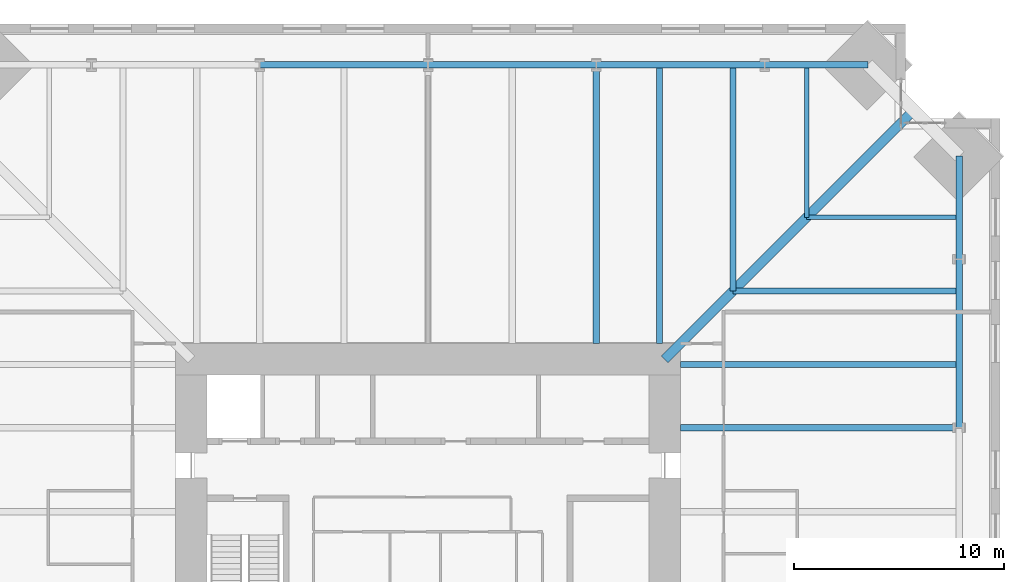
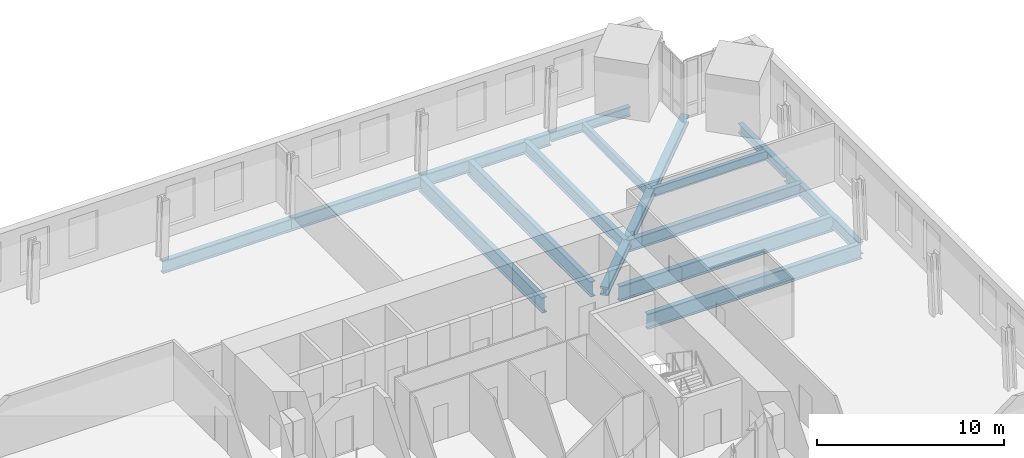
# One storey, part 7 of 16: 15 beams.
"""IFC4 building model written with IfcOpenShell, lengths in metres."""

from ifc_helpers import new_model, si_unit, direction, frame, origin, origin_2d, place, context, subcontext, project, spatial, i_section, extrude, material, material_profile, profile_set, type_object, element, save


model = new_model("IFC4")

# Units and contexts
model_context = context("Model", 3, precision=1e-05, world=origin(), true_north=direction((0.0, 1.0)))
body_context = subcontext(model_context, "Body", "Model", "MODEL_VIEW")
ifc_project = project(units=[si_unit("LENGTHUNIT", "METRE"), si_unit("AREAUNIT", "SQUARE_METRE"), si_unit("VOLUMEUNIT", "CUBIC_METRE"), si_unit("PLANEANGLEUNIT", "RADIAN"), si_unit("MASSUNIT", "GRAM", prefix="KILO")], contexts=[model_context])

# Site, building, storey
site_placement = place(None, origin())
site = spatial("IfcSite", under=ifc_project, at=site_placement, CompositionType="ELEMENT")
building_placement = place(site_placement, origin())
building = spatial("IfcBuilding", under=site, at=building_placement, Name="Peilmerk Tower", CompositionType="ELEMENT")
storey_placement = place(building_placement, frame((0.0, 0.0, 139.800048828125)))
storey = spatial("IfcBuildingStorey", under=building, at=storey_placement, Name="L28", CompositionType="ELEMENT", Elevation=139.800048828125)

# Beams
ifc_material_1 = material(Name="Steel S355", Category="steel")
ifc_material_profile_1 = material_profile(ifc_material_1, i_section(OverallWidth=0.219970703125, OverallDepth=0.60009765625, WebThickness=0.011962890625, FlangeThickness=0.01904296875, at=origin_2d()), Name="IPE 600")
ifc_profile_set_1 = profile_set([ifc_material_profile_1], Name="Steel S355")
beam_type_1 = type_object("IfcBeamType", Name="B10 IPE 600 floor beam", PredefinedType="BEAM", material=ifc_profile_set_1)
for number, where, z_axis, x_axis, name in (
    (1, (18.0, 18.0, -0.469970703125), (0.0, 1.0, 0.0), (-1.0, 0.0, 0.0), "Floor beam L28"),
    (2, (18.0, 18.0, -0.469970703125), (1.0, 0.0, 0.0), (0.0, 1.0, 0.0), "Floor beam L28"),
):
    element("IfcBeam", number, at=place(storey_placement, frame(where, z_axis=z_axis, x_axis=x_axis)), inside=storey, type_object=beam_type_1, Name=name, PredefinedType="BEAM", context=body_context, shape_type="SweptSolid", body=[
        extrude(i_section(OverallWidth=0.219970703125, OverallDepth=0.60009765625, WebThickness=0.011962890625, FlangeThickness=0.01904296875, at=origin_2d()), origin(), (0.0, 0.0, 1.0), 7.259765625),
    ])
ifc_material_profile_2 = material_profile(ifc_material_1, i_section(OverallWidth=0.302978515625, OverallDepth=0.81396484375, WebThickness=0.02099609375, FlangeThickness=0.0400390625, at=origin_2d()), Name="HEM 800")
ifc_profile_set_2 = profile_set([ifc_material_profile_2], Name="Steel S355")
beam_type_2 = type_object("IfcBeamType", Name="B15 HEM 800 edge beam", PredefinedType="SPANDREL", material=ifc_profile_set_2)
for number, where, z_axis, x_axis, name in (
    (3, (16.0, 25.259765625, -0.5771484375), (-1.0, 0.0, 0.0), (0.0, -1.0, 0.0), "Edge beam L28"),
    (4, (8.0, 25.259765625, -0.5771484375), (-1.0, 0.0, 0.0), (0.0, -1.0, 0.0), "Edge beam L28"),
    (5, (0.0, 25.259765625, -0.5771484375), (-1.0, 0.0, 0.0), (0.0, -1.0, 0.0), "Edge beam L28"),
    (6, (25.259765625, 8.0, -0.5771484375), (0.0, 1.0, 0.0), (-1.0, 0.0, 0.0), "Edge beam L28"),
):
    element("IfcBeam", number, at=place(storey_placement, frame(where, z_axis=z_axis, x_axis=x_axis)), inside=storey, type_object=beam_type_2, Name=name, PredefinedType="SPANDREL", context=body_context, shape_type="SweptSolid", body=[
        extrude(i_section(OverallWidth=0.302978515625, OverallDepth=0.81396484375, WebThickness=0.02099609375, FlangeThickness=0.0400390625, at=origin_2d()), origin(), (0.0, 0.0, 1.0), 8.0),
    ])
ifc_material_profile_3 = material_profile(ifc_material_1, i_section(OverallWidth=0.300048828125, OverallDepth=0.7900390625, WebThickness=0.014892578125, FlangeThickness=0.028076171875, at=origin_2d()), Name="HEA 800")
ifc_profile_set_3 = profile_set([ifc_material_profile_3], Name="Steel S355")
beam_type_3 = type_object("IfcBeamType", Name="B3 HEA 800 floor beam", PredefinedType="BEAM", material=ifc_profile_set_3)
for number, where, z_axis, x_axis, name in (
    (7, (14.5, 14.5, -0.56494140625), (0.0, 1.0, 0.0), (-1.0, 0.0, 0.0), "Floor beam L28"),
    (8, (14.5, 14.5, -0.56494140625), (1.0, 0.0, 0.0), (0.0, 1.0, 0.0), "Floor beam L28"),
):
    element("IfcBeam", number, at=place(storey_placement, frame(where, z_axis=z_axis, x_axis=x_axis)), inside=storey, type_object=beam_type_3, Name=name, PredefinedType="BEAM", context=body_context, shape_type="SweptSolid", body=[
        extrude(i_section(OverallWidth=0.300048828125, OverallDepth=0.7900390625, WebThickness=0.014892578125, FlangeThickness=0.028076171875, at=origin_2d()), origin(), (0.0, 0.0, 1.0), 10.759765625),
    ])
ifc_material_profile_4 = material_profile(ifc_material_1, i_section(OverallWidth=0.304931640625, OverallDepth=0.6201171875, WebThickness=0.02099609375, FlangeThickness=0.0400390625, at=origin_2d()), Name="HEM 600")
ifc_profile_set_4 = profile_set([ifc_material_profile_4], Name="Steel S355")
beam_type_4 = type_object("IfcBeamType", Name="B31 HEM 600 edge beam", PredefinedType="SPANDREL", material=ifc_profile_set_4)
for number, where, z_axis, x_axis, name in (
    (9, (20.90966796875, 25.259765625, -0.47998046875), (-1.0, 0.0, 0.0), (0.0, -1.0, 0.0), "Edge beam L28"),
    (10, (25.259765625, 16.0, -0.47998046875), (0.0, 1.0, 0.0), (-1.0, 0.0, 0.0), "Edge beam L28"),
):
    element("IfcBeam", number, at=place(storey_placement, frame(where, z_axis=z_axis, x_axis=x_axis)), inside=storey, type_object=beam_type_4, Name=name, PredefinedType="SPANDREL", context=body_context, shape_type="SweptSolid", body=[
        extrude(i_section(OverallWidth=0.304931640625, OverallDepth=0.6201171875, WebThickness=0.02099609375, FlangeThickness=0.0400390625, at=origin_2d()), origin(), (0.0, 0.0, 1.0), 4.90966796875),
    ])
ifc_material_profile_5 = material_profile(ifc_material_1, i_section(OverallWidth=0.300048828125, OverallDepth=1.0, WebThickness=0.01904296875, FlangeThickness=0.035888671875, at=origin_2d()), Name="HEB 1000")
ifc_profile_set_5 = profile_set([ifc_material_profile_5], Name="Steel S355")
beam_type_5 = type_object("IfcBeamType", Name="B5 HEB 1000 floor girder", PredefinedType="BEAM", material=ifc_profile_set_5)
for number, where, z_axis, x_axis, name in (
    (11, (11.0, 12.0, -0.670166015625), (0.0, 1.0, 0.0), (-1.0, 0.0, 0.0), "Floor beam L28"),
    (12, (8.0, 12.0, -0.670166015625), (0.0, 1.0, 0.0), (-1.0, 0.0, 0.0), "Floor beam L28"),
    (13, (12.0, 8.0, -0.670166015625), (1.0, 0.0, 0.0), (0.0, 1.0, 0.0), "Floor beam L28"),
    (14, (12.0, 11.0, -0.670166015625), (1.0, 0.0, 0.0), (0.0, 1.0, 0.0), "Floor beam L28"),
):
    element("IfcBeam", number, at=place(storey_placement, frame(where, z_axis=z_axis, x_axis=x_axis)), inside=storey, type_object=beam_type_5, Name=name, PredefinedType="BEAM", context=body_context, shape_type="SweptSolid", body=[
        extrude(i_section(OverallWidth=0.300048828125, OverallDepth=1.0, WebThickness=0.01904296875, FlangeThickness=0.035888671875, at=origin_2d()), origin(), (0.0, 0.0, 1.0), 13.259765625),
    ])
ifc_material_2 = material(Name="Steel S460", Category="steel")
ifc_material_profile_6 = material_profile(ifc_material_2, i_section(OverallWidth=0.4541015625, OverallDepth=0.569091796875, WebThickness=0.077880859375, FlangeThickness=0.125, at=origin_2d()), Name="HD 400x1086")
ifc_profile_set_6 = profile_set([ifc_material_profile_6], Name="Steel S460")
beam_type_6 = type_object("IfcBeamType", Name="B9 HD 400x1086 corner girder", PredefinedType="BEAM", material=ifc_profile_set_6)
beam_placement = place(storey_placement, frame((11.25, 11.25, -0.45458984375), z_axis=(0.707106781187, 0.707106781187, 0.0), x_axis=(-0.707106781187, 0.707106781187, 0.0)))
element("IfcBeam", 15, at=beam_placement, inside=storey, type_object=beam_type_6, Name="Corner girder L28", PredefinedType="BEAM", context=body_context, shape_type="SweptSolid", body=[
    extrude(i_section(OverallWidth=0.4541015625, OverallDepth=0.569091796875, WebThickness=0.077880859375, FlangeThickness=0.125, at=origin_2d()), origin(), (0.0, 0.0, 1.0), 16.73681640625),
])

save(model, "model.ifc")
